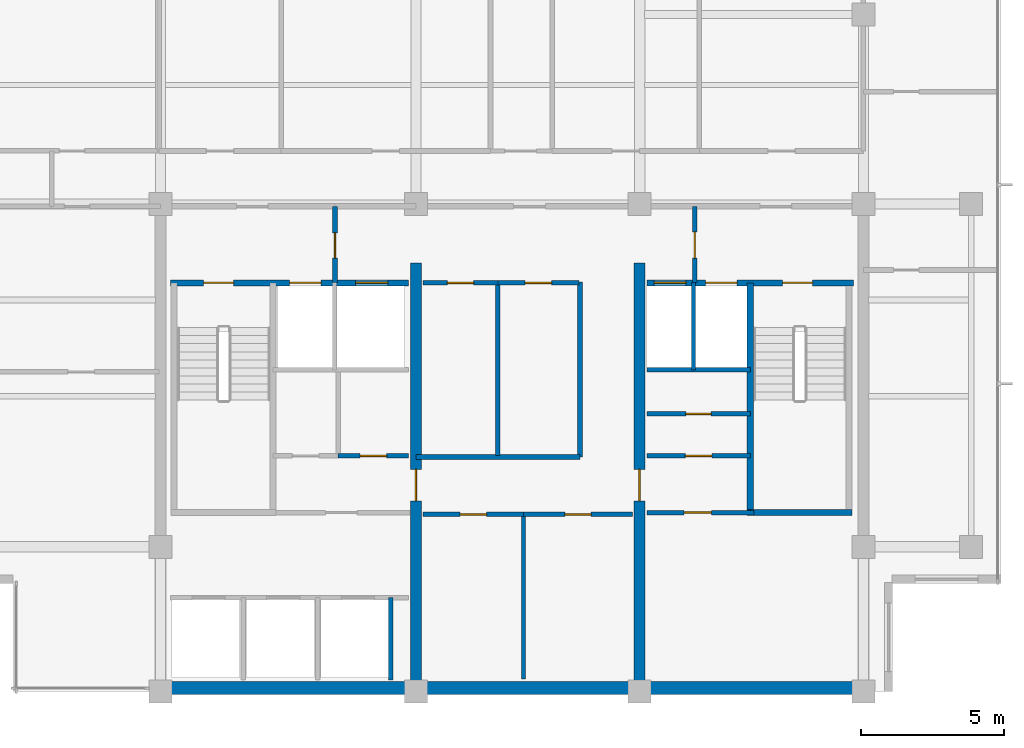
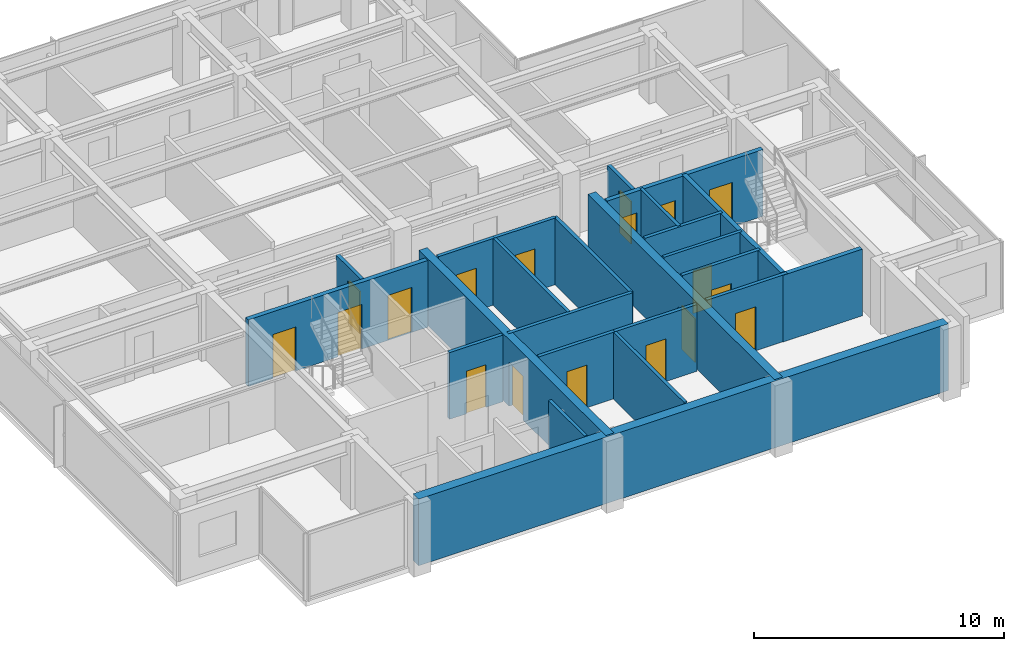
# One storey, part 6 of 11: 24 walls, 18 doors, 18 openings.
"""IFC4 building model written with IfcOpenShell, lengths in metres."""

from ifc_helpers import new_model, si_unit, direction, frame, frame_2d, origin, place, context, subcontext, project, spatial, rectangle, extrude, material, layer, layer_set, type_object, element, fill, save


model = new_model("IFC4")

# Units and contexts
model_context = context("Model", 3, precision=1e-05, world=origin(), true_north=direction((0.0, 1.0)))
body_context = subcontext(model_context, "Body", "Model", "MODEL_VIEW")
ifc_project = project(units=[si_unit("LENGTHUNIT", "METRE"), si_unit("AREAUNIT", "SQUARE_METRE"), si_unit("VOLUMEUNIT", "CUBIC_METRE"), si_unit("PLANEANGLEUNIT", "RADIAN"), si_unit("MASSUNIT", "GRAM", prefix="KILO")], contexts=[model_context])

# Site, building, storey
site_placement = place(None, origin())
site = spatial("IfcSite", under=ifc_project, at=site_placement, CompositionType="ELEMENT")
building_placement = place(site_placement, origin())
building = spatial("IfcBuilding", under=site, at=building_placement, Name="Qalmaran Belvedere Hotel", CompositionType="ELEMENT")
storey_placement = place(building_placement, frame((0.0, 0.0, 242.39990234375)))
storey = spatial("IfcBuildingStorey", under=building, at=storey_placement, Name="L62", CompositionType="ELEMENT", Elevation=242.39990234375)

# Wall, opening, door
ifc_material_1 = material(Name="Concrete C50/60", Category="concrete")
ifc_layer_1 = layer(ifc_material_1, 0.3798828125, Name="Concrete C50/60")
ifc_layer_set_1 = layer_set([ifc_layer_1], Name="Concrete C50/60")
wall_type_1 = type_object("IfcWallType", Name="WL-CORE-380-C50", PredefinedType="SHEAR", material=ifc_layer_set_1)
wall_1_placement = place(storey_placement, frame((29.199951171875, 3.5, 0.0), z_axis=(0.0, 0.0, 1.0), x_axis=(0.0, 1.0, 0.0)))
wall_1 = element("IfcWall", 1, at=wall_1_placement, inside=storey, type_object=wall_type_1, Name="L62 Core West Spine Shear Wall", PredefinedType="SHEAR", context=body_context, shape_type="SweptSolid", body=[
    extrude(rectangle(XDim=14.949951171875, YDim=0.3798828125, at=frame_2d((7.47509765625, 0.0))), origin(), (0.0, 0.0, 1.0), 3.260009765625),
])
opening_1_placement = place(wall_1_placement, frame((7.75, 0.0, 0.0), z_axis=(0.0, 0.0, 1.0), x_axis=(-1.0, 0.0, 0.0)))
opening_1 = element("IfcOpeningElement", 2, at=opening_1_placement, cuts=wall_1, Name="Opening FD90", PredefinedType="OPENING", context=body_context, shape_type="SweptSolid", body=[
    extrude(rectangle(XDim=1.10009765625, YDim=2.14990234375, at=frame_2d((0.550048828125, 1.074951171875))), frame((0.0, 0.199951171875, 0.0), z_axis=(0.0, -1.0, 0.0), x_axis=(1.0, 0.0, 0.0)), (0.0, 0.0, 1.0), 0.39990234375),
])
ifc_material_2 = material(Name="Steel S355JR", Category="steel")
door_type_1 = type_object("IfcDoorType", Name="DR-FD90-1100X2150", OperationType="NOTDEFINED", PredefinedType="DOOR", material=ifc_material_2)
door_1_placement = place(opening_1_placement, origin())
door_1 = element("IfcDoor", 3, at=door_1_placement, inside=storey, type_object=door_type_1, Name="L62 Core West Cross-Lobby Door", OperationType="SINGLE_SWING_LEFT", OverallHeight=2.14990234375, OverallWidth=1.10009765625, PredefinedType="DOOR", context=body_context, shape_type="SweptSolid", body=[
    extrude(rectangle(XDim=1.10009765625, YDim=2.14990234375, at=frame_2d((0.550048828125, 1.074951171875))), frame((0.0, 0.02490234375, 0.0), z_axis=(0.0, -1.0, 0.0), x_axis=(1.0, 0.0, 0.0)), (0.0, 0.0, 1.0), 0.050048828125),
])
fill(opening_1, door_1)

wall_2_placement = place(storey_placement, frame((37.0, 3.5, 0.0), z_axis=(0.0, 0.0, 1.0), x_axis=(0.0, 1.0, 0.0)))
wall_2 = element("IfcWall", 4, at=wall_2_placement, inside=storey, type_object=wall_type_1, Name="L62 Core East Spine Shear Wall", PredefinedType="SHEAR", context=body_context, shape_type="SweptSolid", body=[
    extrude(rectangle(XDim=14.949951171875, YDim=0.3798828125, at=frame_2d((7.47509765625, 0.0))), origin(), (0.0, 0.0, 1.0), 3.260009765625),
])
opening_2_placement = place(wall_2_placement, frame((6.64990234375, 0.0, 0.0)))
opening_2 = element("IfcOpeningElement", 5, at=opening_2_placement, cuts=wall_2, Name="Opening FD90", PredefinedType="OPENING", context=body_context, shape_type="SweptSolid", body=[
    extrude(rectangle(XDim=1.10009765625, YDim=2.14990234375, at=frame_2d((0.550048828125, 1.074951171875))), frame((0.0, 0.199951171875, 0.0), z_axis=(0.0, -1.0, 0.0), x_axis=(1.0, 0.0, 0.0)), (0.0, 0.0, 1.0), 0.39990234375),
])
door_2_placement = place(opening_2_placement, origin())
door_2 = element("IfcDoor", 6, at=door_2_placement, inside=storey, type_object=door_type_1, Name="L62 Core East Cross-Lobby Door", OperationType="SINGLE_SWING_RIGHT", OverallHeight=2.14990234375, OverallWidth=1.10009765625, PredefinedType="DOOR", context=body_context, shape_type="SweptSolid", body=[
    extrude(rectangle(XDim=1.10009765625, YDim=2.14990234375, at=frame_2d((0.550048828125, 1.074951171875))), frame((0.0, 0.02490234375, 0.0), z_axis=(0.0, -1.0, 0.0), x_axis=(1.0, 0.0, 0.0)), (0.0, 0.0, 1.0), 0.050048828125),
])
fill(opening_2, door_2)

# Walls
ifc_layer_2 = layer(ifc_material_1, 0.43994140625, Name="Concrete C50/60")
ifc_layer_set_2 = layer_set([ifc_layer_2], Name="Concrete C50/60")
wall_type_2 = type_object("IfcWallType", Name="WL-CORES-440-EXT", PredefinedType="SHEAR", material=ifc_layer_set_2)
wall_3_placement = place(storey_placement, frame((20.300048828125, 3.6298828125, 0.0), z_axis=(0.0, 0.0, 1.0), x_axis=(1.0, 0.0, 0.0)))
element("IfcWall", 7, at=wall_3_placement, inside=storey, type_object=wall_type_2, Name="L62 South Core Shear Wall", PredefinedType="SHEAR", context=body_context, shape_type="SweptSolid", body=[
    extrude(rectangle(XDim=24.5, YDim=0.43994140625, at=frame_2d((12.25, 0.0))), origin(), (0.0, 0.0, 1.0), 3.260009765625),
])
ifc_material_3 = material(Name="Gypsum Stud Partition")
ifc_layer_3 = layer(ifc_material_3, 0.14990234375, Name="Gypsum Stud Partition")
ifc_layer_set_3 = layer_set([ifc_layer_3], Name="Gypsum Stud Partition")
wall_type_3 = type_object("IfcWallType", Name="WL-INT-150-EI120", PredefinedType="PARTITIONING", material=ifc_layer_set_3)
wall_4_placement = place(storey_placement, frame((38.8798828125, 14.719970703125, 0.0), z_axis=(0.0, 0.0, 1.0), x_axis=(0.0, 1.0, 0.0)))
element("IfcWall", 8, at=wall_4_placement, inside=storey, type_object=wall_type_3, Name="L62 Partition WL-FF2M-L62", PredefinedType="PARTITIONING", context=body_context, shape_type="SweptSolid", body=[
    extrude(rectangle(XDim=3.0400390625, YDim=0.14990234375, at=frame_2d((1.52001953125, 0.0))), origin(), (0.0, 0.0, 1.0), 3.260009765625),
])
wall_5_placement = place(storey_placement, frame((28.320068359375, 3.89990234375, 0.0), z_axis=(0.0, 0.0, 1.0), x_axis=(0.0, 1.0, 0.0)))
element("IfcWall", 9, at=wall_5_placement, inside=storey, type_object=wall_type_3, Name="L62 Partition WL-POM3-L62", PredefinedType="PARTITIONING", context=body_context, shape_type="SweptSolid", body=[
    extrude(rectangle(XDim=2.880126953125, YDim=0.14990234375, at=frame_2d((1.43994140625, 0.0))), origin(), (0.0, 0.0, 1.0), 3.260009765625),
])

# Wall, opening, door
ifc_layer_4 = layer(ifc_material_3, 0.14990234375, Name="Gypsum Stud Partition")
ifc_layer_set_4 = layer_set([ifc_layer_4], Name="Gypsum Stud Partition")
wall_type_4 = type_object("IfcWallType", Name="WL-INT-150-EI60", PredefinedType="PARTITIONING", material=ifc_layer_set_4)
wall_6_placement = place(storey_placement, frame((37.25, 13.18505859375, 0.0), z_axis=(0.0, 0.0, 1.0), x_axis=(1.0, 0.0, 0.0)))
wall_6 = element("IfcWall", 10, at=wall_6_placement, inside=storey, type_object=wall_type_4, Name="L62 Partition WL-L62-KEHM", PredefinedType="PARTITIONING", context=body_context, shape_type="SweptSolid", body=[
    extrude(rectangle(XDim=3.610107421875, YDim=0.14990234375, at=frame_2d((1.80517578125, 0.0))), origin(), (0.0, 0.0, 1.0), 3.260009765625),
])
opening_3_placement = place(wall_6_placement, frame((1.364990234375, 0.0, 0.0)))
opening_3 = element("IfcOpeningElement", 11, at=opening_3_placement, cuts=wall_6, Name="Opening FD60B", PredefinedType="OPENING", context=body_context, shape_type="SweptSolid", body=[
    extrude(rectangle(XDim=0.8798828125, YDim=2.080078125, at=frame_2d((0.43994140625, 1.0400390625))), frame((0.0, 0.0849609375, 0.0), z_axis=(0.0, -1.0, 0.0), x_axis=(1.0, 0.0, 0.0)), (0.0, 0.0, 1.0), 0.169921875),
])
door_type_2 = type_object("IfcDoorType", Name="DR-FD60B-880X2080", OperationType="NOTDEFINED", PredefinedType="DOOR", material=ifc_material_2)
door_3_placement = place(opening_3_placement, origin())
door_3 = element("IfcDoor", 12, at=door_3_placement, inside=storey, type_object=door_type_2, Name="L62 Hotel Linen Closet Door", OperationType="SINGLE_SWING_LEFT", OverallHeight=2.080078125, OverallWidth=0.8798828125, PredefinedType="DOOR", context=body_context, shape_type="SweptSolid", body=[
    extrude(rectangle(XDim=0.8798828125, YDim=2.080078125, at=frame_2d((0.43994140625, 1.0400390625))), frame((0.0, 0.02490234375, 0.0), z_axis=(0.0, -1.0, 0.0), x_axis=(1.0, 0.0, 0.0)), (0.0, 0.0, 1.0), 0.050048828125),
])
fill(opening_3, door_3)

# Walls
wall_7_placement = place(storey_placement, frame((32.9541015625, 3.949951171875, 0.0), z_axis=(0.0, 0.0, 1.0), x_axis=(0.0, 1.0, 0.0)))
element("IfcWall", 13, at=wall_7_placement, inside=storey, type_object=wall_type_4, Name="L62 Partition WL-L62-KPLV1", PredefinedType="PARTITIONING", context=body_context, shape_type="SweptSolid", body=[
    extrude(rectangle(XDim=5.72998046875, YDim=0.14990234375, at=frame_2d((2.864990234375, 0.0))), origin(), (0.0, 0.0, 1.0), 3.260009765625),
])
wall_8_placement = place(storey_placement, frame((32.056396484375, 11.739990234375, 0.0), z_axis=(0.0, 0.0, 1.0), x_axis=(0.0, 1.0, 0.0)))
element("IfcWall", 14, at=wall_8_placement, inside=storey, type_object=wall_type_4, Name="L62 Partition WL-L62-KPMV1", PredefinedType="PARTITIONING", context=body_context, shape_type="SweptSolid", body=[
    extrude(rectangle(XDim=6.010009765625, YDim=0.14990234375, at=frame_2d((3.0048828125, 0.0))), origin(), (0.0, 0.0, 1.0), 3.260009765625),
])

# Wall, opening, door
ifc_layer_5 = layer(ifc_material_3, 0.159912109375, Name="Gypsum Stud Partition")
ifc_layer_set_5 = layer_set([ifc_layer_5], Name="Gypsum Stud Partition")
wall_type_5 = type_object("IfcWallType", Name="WL-INT-160-EI120", PredefinedType="PARTITIONING", material=ifc_layer_set_5)
wall_9_placement = place(storey_placement, frame((26.3798828125, 17.760009765625, 0.0), z_axis=(0.0, 0.0, 1.0), x_axis=(0.0, 1.0, 0.0)))
wall_9 = element("IfcWall", 15, at=wall_9_placement, inside=storey, type_object=wall_type_5, Name="L62 Partition WL-FFSV1-L62", PredefinedType="PARTITIONING", context=body_context, shape_type="SweptSolid", body=[
    extrude(rectangle(XDim=2.659912109375, YDim=0.159912109375, at=frame_2d((1.330078125, 0.0))), origin(), (0.0, 0.0, 1.0), 2.781982421875),
])
opening_4_placement = place(wall_9_placement, frame((0.85009765625, 0.0, 0.0)))
opening_4 = element("IfcOpeningElement", 16, at=opening_4_placement, cuts=wall_9, Name="Opening FD60B", PredefinedType="OPENING", context=body_context, shape_type="SweptSolid", body=[
    extrude(rectangle(XDim=0.8798828125, YDim=2.080078125, at=frame_2d((0.43994140625, 1.0400390625))), frame((0.0, 0.08984375, 0.0), z_axis=(0.0, -1.0, 0.0), x_axis=(1.0, 0.0, 0.0)), (0.0, 0.0, 1.0), 0.179931640625),
])
door_4_placement = place(opening_4_placement, origin())
door_4 = element("IfcDoor", 17, at=door_4_placement, inside=storey, type_object=door_type_2, Name="L62 Service Lobby West Door", OperationType="SINGLE_SWING_LEFT", OverallHeight=2.080078125, OverallWidth=0.8798828125, PredefinedType="DOOR", context=body_context, shape_type="SweptSolid", body=[
    extrude(rectangle(XDim=0.8798828125, YDim=2.080078125, at=frame_2d((0.43994140625, 1.0400390625))), frame((0.0, 0.02490234375, 0.0), z_axis=(0.0, -1.0, 0.0), x_axis=(1.0, 0.0, 0.0)), (0.0, 0.0, 1.0), 0.050048828125),
])
fill(opening_4, door_4)

wall_10_placement = place(storey_placement, frame((38.919921875, 17.760009765625, 0.0), z_axis=(0.0, 0.0, 1.0), x_axis=(0.0, 1.0, 0.0)))
wall_10 = element("IfcWall", 18, at=wall_10_placement, inside=storey, type_object=wall_type_5, Name="L62 Partition WL-FFSV2-L62", PredefinedType="PARTITIONING", context=body_context, shape_type="SweptSolid", body=[
    extrude(rectangle(XDim=2.659912109375, YDim=0.159912109375, at=frame_2d((1.330078125, 0.0))), origin(), (0.0, 0.0, 1.0), 2.781982421875),
])
opening_5_placement = place(wall_10_placement, frame((1.77001953125, 0.0, 0.0), z_axis=(0.0, 0.0, 1.0), x_axis=(-1.0, 0.0, 0.0)))
opening_5 = element("IfcOpeningElement", 19, at=opening_5_placement, cuts=wall_10, Name="Opening FD60S1", PredefinedType="OPENING", context=body_context, shape_type="SweptSolid", body=[
    extrude(rectangle(XDim=0.919921875, YDim=2.080078125, at=frame_2d((0.4599609375, 1.0400390625))), frame((0.0, 0.08984375, 0.0), z_axis=(0.0, -1.0, 0.0), x_axis=(1.0, 0.0, 0.0)), (0.0, 0.0, 1.0), 0.179931640625),
])
ifc_material_4 = material(Name="Engineered Oak Veneer")
door_type_3 = type_object("IfcDoorType", Name="DR-FD60S-920X2080", OperationType="NOTDEFINED", PredefinedType="DOOR", material=ifc_material_4)
door_5_placement = place(opening_5_placement, origin())
door_5 = element("IfcDoor", 20, at=door_5_placement, inside=storey, type_object=door_type_3, Name="L62 Service Lobby East Door", OperationType="SINGLE_SWING_RIGHT", OverallHeight=2.080078125, OverallWidth=0.919921875, PredefinedType="DOOR", context=body_context, shape_type="SweptSolid", body=[
    extrude(rectangle(XDim=0.919921875, YDim=2.080078125, at=frame_2d((0.4599609375, 1.0400390625))), frame((0.0, 0.02490234375, 0.0), z_axis=(0.0, -1.0, 0.0), x_axis=(1.0, 0.0, 0.0)), (0.0, 0.0, 1.0), 0.050048828125),
])
fill(opening_5, door_5)

# Wall
wall_11_placement = place(storey_placement, frame((37.25, 14.719970703125, 0.0), z_axis=(0.0, 0.0, 1.0), x_axis=(1.0, 0.0, 0.0)))
element("IfcWall", 21, at=wall_11_placement, inside=storey, type_object=wall_type_5, Name="L62 Partition WL-FF2S-L62", PredefinedType="PARTITIONING", context=body_context, shape_type="SweptSolid", body=[
    extrude(rectangle(XDim=3.610107421875, YDim=0.159912109375, at=frame_2d((1.80517578125, 0.0))), origin(), (0.0, 0.0, 1.0), 3.260009765625),
])

# Wall, opening, door
ifc_layer_6 = layer(ifc_material_3, 0.159912109375, Name="Gypsum Stud Partition")
ifc_layer_set_6 = layer_set([ifc_layer_6], Name="Gypsum Stud Partition")
wall_type_6 = type_object("IfcWallType", Name="WL-INT-160-EI60", PredefinedType="PARTITIONING", material=ifc_layer_set_6)
wall_12_placement = place(storey_placement, frame((26.490478515625, 11.719970703125, 0.0), z_axis=(0.0, 0.0, 1.0), x_axis=(1.0, 0.0, 0.0)))
wall_12 = element("IfcWall", 22, at=wall_12_placement, inside=storey, type_object=wall_type_6, Name="L62 Partition WL-L62-KWE2", PredefinedType="PARTITIONING", context=body_context, shape_type="SweptSolid", body=[
    extrude(rectangle(XDim=2.45947265625, YDim=0.159912109375, at=frame_2d((1.229736328125, 0.0))), origin(), (0.0, 0.0, 1.0), 3.260009765625),
])
opening_6_placement = place(wall_12_placement, frame((0.769775390625, 0.0, 0.0)))
opening_6 = element("IfcOpeningElement", 23, at=opening_6_placement, cuts=wall_12, Name="Opening FD60S1", PredefinedType="OPENING", context=body_context, shape_type="SweptSolid", body=[
    extrude(rectangle(XDim=0.919921875, YDim=2.080078125, at=frame_2d((0.4599609375, 1.0400390625))), frame((0.0, 0.08984375, 0.0), z_axis=(0.0, -1.0, 0.0), x_axis=(1.0, 0.0, 0.0)), (0.0, 0.0, 1.0), 0.179931640625),
])
door_6_placement = place(opening_6_placement, origin())
door_6 = element("IfcDoor", 24, at=door_6_placement, inside=storey, type_object=door_type_3, Name="L62 Cleaner Supply Store Door", OperationType="SINGLE_SWING_LEFT", OverallHeight=2.080078125, OverallWidth=0.919921875, PredefinedType="DOOR", context=body_context, shape_type="SweptSolid", body=[
    extrude(rectangle(XDim=0.919921875, YDim=2.080078125, at=frame_2d((0.4599609375, 1.0400390625))), frame((0.0, 0.02490234375, 0.0), z_axis=(0.0, -1.0, 0.0), x_axis=(1.0, 0.0, 0.0)), (0.0, 0.0, 1.0), 0.050048828125),
])
fill(opening_6, door_6)

wall_13_placement = place(storey_placement, frame((37.25, 11.719970703125, 0.0), z_axis=(0.0, 0.0, 1.0), x_axis=(1.0, 0.0, 0.0)))
wall_13 = element("IfcWall", 25, at=wall_13_placement, inside=storey, type_object=wall_type_6, Name="L62 Partition WL-L62-KEE1", PredefinedType="PARTITIONING", context=body_context, shape_type="SweptSolid", body=[
    extrude(rectangle(XDim=3.610107421875, YDim=0.159912109375, at=frame_2d((1.80517578125, 0.0))), origin(), (0.0, 0.0, 1.0), 3.260009765625),
])
opening_7_placement = place(wall_13_placement, frame((1.344970703125, 0.0, 0.0)))
opening_7 = element("IfcOpeningElement", 26, at=opening_7_placement, cuts=wall_13, Name="Opening FD60S1", PredefinedType="OPENING", context=body_context, shape_type="SweptSolid", body=[
    extrude(rectangle(XDim=0.919921875, YDim=2.080078125, at=frame_2d((0.4599609375, 1.0400390625))), frame((0.0, 0.08984375, 0.0), z_axis=(0.0, -1.0, 0.0), x_axis=(1.0, 0.0, 0.0)), (0.0, 0.0, 1.0), 0.179931640625),
])
door_7_placement = place(opening_7_placement, origin())
door_7 = element("IfcDoor", 27, at=door_7_placement, inside=storey, type_object=door_type_3, Name="L62 Low Voltage Switch Room Door", OperationType="SINGLE_SWING_RIGHT", OverallHeight=2.080078125, OverallWidth=0.919921875, PredefinedType="DOOR", context=body_context, shape_type="SweptSolid", body=[
    extrude(rectangle(XDim=0.919921875, YDim=2.080078125, at=frame_2d((0.4599609375, 1.0400390625))), frame((0.0, 0.02490234375, 0.0), z_axis=(0.0, -1.0, 0.0), x_axis=(1.0, 0.0, 0.0)), (0.0, 0.0, 1.0), 0.050048828125),
])
fill(opening_7, door_7)

wall_14_placement = place(storey_placement, frame((37.25, 9.739990234375, 0.0), z_axis=(0.0, 0.0, 1.0), x_axis=(1.0, 0.0, 0.0)))
wall_14 = element("IfcWall", 28, at=wall_14_placement, inside=storey, type_object=wall_type_6, Name="L62 Partition WL-PHFR-L62", PredefinedType="PARTITIONING", context=body_context, shape_type="SweptSolid", body=[
    extrude(rectangle(XDim=3.72998046875, YDim=0.159912109375, at=frame_2d((1.864990234375, 0.0))), origin(), (0.0, 0.0, 1.0), 3.260009765625),
])
opening_8_placement = place(wall_14_placement, frame((2.25, 0.0, 0.0), z_axis=(0.0, 0.0, 1.0), x_axis=(-1.0, 0.0, 0.0)))
opening_8 = element("IfcOpeningElement", 29, at=opening_8_placement, cuts=wall_14, Name="Opening FD60", PredefinedType="OPENING", context=body_context, shape_type="SweptSolid", body=[
    extrude(rectangle(XDim=0.949951171875, YDim=2.14990234375, at=frame_2d((0.47509765625, 1.074951171875))), frame((0.0, 0.08984375, 0.0), z_axis=(0.0, -1.0, 0.0), x_axis=(1.0, 0.0, 0.0)), (0.0, 0.0, 1.0), 0.179931640625),
])
door_type_4 = type_object("IfcDoorType", Name="DR-FD60-950X2150", OperationType="NOTDEFINED", PredefinedType="DOOR", material=ifc_material_4)
door_8_placement = place(opening_8_placement, origin())
door_8 = element("IfcDoor", 30, at=door_8_placement, inside=storey, type_object=door_type_4, Name="L62 Freed PH Room Door", OperationType="SINGLE_SWING_LEFT", OverallHeight=2.14990234375, OverallWidth=0.949951171875, PredefinedType="DOOR", context=body_context, shape_type="SweptSolid", body=[
    extrude(rectangle(XDim=0.949951171875, YDim=2.14990234375, at=frame_2d((0.47509765625, 1.074951171875))), frame((0.0, 0.02490234375, 0.0), z_axis=(0.0, -1.0, 0.0), x_axis=(1.0, 0.0, 0.0)), (0.0, 0.0, 1.0), 0.050048828125),
])
fill(opening_8, door_8)

# Wall
wall_15_placement = place(storey_placement, frame((34.919921875, 11.679931640625, 0.0), z_axis=(0.0, 0.0, 1.0), x_axis=(0.0, 1.0, 0.0)))
element("IfcWall", 31, at=wall_15_placement, inside=storey, type_object=wall_type_6, Name="L62 Partition WL-CLLV-L62", PredefinedType="PARTITIONING", context=body_context, shape_type="SweptSolid", body=[
    extrude(rectangle(XDim=6.10009765625, YDim=0.159912109375, at=frame_2d((3.050048828125, 0.0))), origin(), (0.0, 0.0, 1.0), 3.260009765625),
])

# Wall, opening, door
wall_16_placement = place(storey_placement, frame((29.449951171875, 9.679931640625, 0.0), z_axis=(0.0, 0.0, 1.0), x_axis=(1.0, 0.0, 0.0)))
wall_16 = element("IfcWall", 32, at=wall_16_placement, inside=storey, type_object=wall_type_6, Name="L62 Partition WL-L62-KPLE1", PredefinedType="PARTITIONING", context=body_context, shape_type="SweptSolid", body=[
    extrude(rectangle(XDim=3.504150390625, YDim=0.159912109375, at=frame_2d((1.751953125, 0.0))), origin(), (0.0, 0.0, 1.0), 3.260009765625),
])
opening_9_placement = place(wall_16_placement, frame((2.2119140625, 0.0, 0.0), z_axis=(0.0, 0.0, 1.0), x_axis=(-1.0, 0.0, 0.0)))
opening_9 = element("IfcOpeningElement", 33, at=opening_9_placement, cuts=wall_16, Name="Opening FD60S1", PredefinedType="OPENING", context=body_context, shape_type="SweptSolid", body=[
    extrude(rectangle(XDim=0.919921875, YDim=2.080078125, at=frame_2d((0.4599609375, 1.0400390625))), frame((0.0, 0.08984375, 0.0), z_axis=(0.0, -1.0, 0.0), x_axis=(1.0, 0.0, 0.0)), (0.0, 0.0, 1.0), 0.179931640625),
])
door_9_placement = place(opening_9_placement, origin())
door_9 = element("IfcDoor", 34, at=door_9_placement, inside=storey, type_object=door_type_3, Name="L62 Hotel Butler Service Pantry Door", OperationType="SINGLE_SWING_RIGHT", OverallHeight=2.080078125, OverallWidth=0.919921875, PredefinedType="DOOR", context=body_context, shape_type="SweptSolid", body=[
    extrude(rectangle(XDim=0.919921875, YDim=2.080078125, at=frame_2d((0.4599609375, 1.0400390625))), frame((0.0, 0.02490234375, 0.0), z_axis=(0.0, -1.0, 0.0), x_axis=(1.0, 0.0, 0.0)), (0.0, 0.0, 1.0), 0.050048828125),
])
fill(opening_9, door_9)

wall_17_placement = place(storey_placement, frame((32.9541015625, 9.679931640625, 0.0), z_axis=(0.0, 0.0, 1.0), x_axis=(1.0, 0.0, 0.0)))
wall_17 = element("IfcWall", 35, at=wall_17_placement, inside=storey, type_object=wall_type_6, Name="L62 Partition WL-L62-KPLE2", PredefinedType="PARTITIONING", context=body_context, shape_type="SweptSolid", body=[
    extrude(rectangle(XDim=3.7958984375, YDim=0.159912109375, at=frame_2d((1.89794921875, 0.0))), origin(), (0.0, 0.0, 1.0), 3.260009765625),
])
opening_10_placement = place(wall_17_placement, frame((2.35791015625, 0.0, 0.0), z_axis=(0.0, 0.0, 1.0), x_axis=(-1.0, 0.0, 0.0)))
opening_10 = element("IfcOpeningElement", 36, at=opening_10_placement, cuts=wall_17, Name="Opening FD60S1", PredefinedType="OPENING", context=body_context, shape_type="SweptSolid", body=[
    extrude(rectangle(XDim=0.919921875, YDim=2.080078125, at=frame_2d((0.4599609375, 1.0400390625))), frame((0.0, 0.08984375, 0.0), z_axis=(0.0, -1.0, 0.0), x_axis=(1.0, 0.0, 0.0)), (0.0, 0.0, 1.0), 0.179931640625),
])
door_10_placement = place(opening_10_placement, origin())
door_10 = element("IfcDoor", 37, at=door_10_placement, inside=storey, type_object=door_type_3, Name="L62 Guest Valet Supply Store Door", OperationType="SINGLE_SWING_LEFT", OverallHeight=2.080078125, OverallWidth=0.919921875, PredefinedType="DOOR", context=body_context, shape_type="SweptSolid", body=[
    extrude(rectangle(XDim=0.919921875, YDim=2.080078125, at=frame_2d((0.4599609375, 1.0400390625))), frame((0.0, 0.02490234375, 0.0), z_axis=(0.0, -1.0, 0.0), x_axis=(1.0, 0.0, 0.0)), (0.0, 0.0, 1.0), 0.050048828125),
])
fill(opening_10, door_10)

# Wall
wall_18_placement = place(storey_placement, frame((29.199951171875, 11.679931640625, 0.0), z_axis=(0.0, 0.0, 1.0), x_axis=(1.0, 0.0, 0.0)))
element("IfcWall", 38, at=wall_18_placement, inside=storey, type_object=wall_type_6, Name="L62 Partition WL-PMFS-L62", PredefinedType="PARTITIONING", context=body_context, shape_type="SweptSolid", body=[
    extrude(rectangle(XDim=5.719970703125, YDim=0.159912109375, at=frame_2d((2.85986328125, 0.0))), origin(), (0.0, 0.0, 1.0), 3.260009765625),
])

# Wall, opening, door
wall_19_placement = place(storey_placement, frame((29.449951171875, 17.75, 0.0), z_axis=(0.0, 0.0, 1.0), x_axis=(1.0, 0.0, 0.0)))
wall_19 = element("IfcWall", 39, at=wall_19_placement, inside=storey, type_object=wall_type_6, Name="L62 Partition WL-L62-KPME1", PredefinedType="PARTITIONING", context=body_context, shape_type="SweptSolid", body=[
    extrude(rectangle(XDim=2.6064453125, YDim=0.159912109375, at=frame_2d((1.30322265625, 0.0))), origin(), (0.0, 0.0, 1.0), 3.260009765625),
])
opening_11_placement = place(wall_19_placement, frame((1.76318359375, 0.0, 0.0), z_axis=(0.0, 0.0, 1.0), x_axis=(-1.0, 0.0, 0.0)))
opening_11 = element("IfcOpeningElement", 40, at=opening_11_placement, cuts=wall_19, Name="Opening FD60S1", PredefinedType="OPENING", context=body_context, shape_type="SweptSolid", body=[
    extrude(rectangle(XDim=0.919921875, YDim=2.080078125, at=frame_2d((0.4599609375, 1.0400390625))), frame((0.0, 0.08984375, 0.0), z_axis=(0.0, -1.0, 0.0), x_axis=(1.0, 0.0, 0.0)), (0.0, 0.0, 1.0), 0.179931640625),
])
door_11_placement = place(opening_11_placement, origin())
door_11 = element("IfcDoor", 41, at=door_11_placement, inside=storey, type_object=door_type_3, Name="L62 Floor Linen Supply Store Door", OperationType="SINGLE_SWING_RIGHT", OverallHeight=2.080078125, OverallWidth=0.919921875, PredefinedType="DOOR", context=body_context, shape_type="SweptSolid", body=[
    extrude(rectangle(XDim=0.919921875, YDim=2.080078125, at=frame_2d((0.4599609375, 1.0400390625))), frame((0.0, 0.02490234375, 0.0), z_axis=(0.0, -1.0, 0.0), x_axis=(1.0, 0.0, 0.0)), (0.0, 0.0, 1.0), 0.050048828125),
])
fill(opening_11, door_11)

wall_20_placement = place(storey_placement, frame((32.056396484375, 17.75, 0.0), z_axis=(0.0, 0.0, 1.0), x_axis=(1.0, 0.0, 0.0)))
wall_20 = element("IfcWall", 42, at=wall_20_placement, inside=storey, type_object=wall_type_6, Name="L62 Partition WL-L62-KPME2", PredefinedType="PARTITIONING", context=body_context, shape_type="SweptSolid", body=[
    extrude(rectangle(XDim=2.823486328125, YDim=0.159912109375, at=frame_2d((1.41162109375, 0.0))), origin(), (0.0, 0.0, 1.0), 3.260009765625),
])
opening_12_placement = place(wall_20_placement, frame((1.871826171875, 0.0, 0.0), z_axis=(0.0, 0.0, 1.0), x_axis=(-1.0, 0.0, 0.0)))
opening_12 = element("IfcOpeningElement", 43, at=opening_12_placement, cuts=wall_20, Name="Opening FD60S1", PredefinedType="OPENING", context=body_context, shape_type="SweptSolid", body=[
    extrude(rectangle(XDim=0.919921875, YDim=2.080078125, at=frame_2d((0.4599609375, 1.0400390625))), frame((0.0, 0.08984375, 0.0), z_axis=(0.0, -1.0, 0.0), x_axis=(1.0, 0.0, 0.0)), (0.0, 0.0, 1.0), 0.179931640625),
])
door_12_placement = place(opening_12_placement, origin())
door_12 = element("IfcDoor", 44, at=door_12_placement, inside=storey, type_object=door_type_3, Name="L62 Core Tableware Store Door", OperationType="SINGLE_SWING_LEFT", OverallHeight=2.080078125, OverallWidth=0.919921875, PredefinedType="DOOR", context=body_context, shape_type="SweptSolid", body=[
    extrude(rectangle(XDim=0.919921875, YDim=2.080078125, at=frame_2d((0.4599609375, 1.0400390625))), frame((0.0, 0.02490234375, 0.0), z_axis=(0.0, -1.0, 0.0), x_axis=(1.0, 0.0, 0.0)), (0.0, 0.0, 1.0), 0.050048828125),
])
fill(opening_12, door_12)

# Wall, openings, doors
ifc_layer_7 = layer(ifc_material_1, 0.2099609375, Name="Concrete C50/60")
ifc_layer_set_7 = layer_set([ifc_layer_7], Name="Concrete C50/60")
wall_type_7 = type_object("IfcWallType", Name="WL-STAIR-210-C50", PredefinedType="SHEAR", material=ifc_layer_set_7)
wall_21_placement = place(storey_placement, frame((20.64990234375, 17.7548828125, 0.0), z_axis=(0.0, 0.0, 1.0), x_axis=(1.0, 0.0, 0.0)))
wall_21 = element("IfcWall", 45, at=wall_21_placement, inside=storey, type_object=wall_type_7, Name="L62 West Lobby and Stair ST-1 North Bearing Wall", PredefinedType="SHEAR", context=body_context, shape_type="SweptSolid", body=[
    extrude(rectangle(XDim=8.300048828125, YDim=0.2099609375, at=frame_2d((4.14990234375, 0.0))), origin(), (0.0, 0.0, 1.0), 3.260009765625),
])
opening_13_placement = place(wall_21_placement, frame((2.199951171875, 0.0, 0.0), z_axis=(0.0, 0.0, 1.0), x_axis=(-1.0, 0.0, 0.0)))
opening_13 = element("IfcOpeningElement", 46, at=opening_13_placement, cuts=wall_21, Name="Opening FD90S2", PredefinedType="OPENING", context=body_context, shape_type="SweptSolid", body=[
    extrude(rectangle(XDim=1.050048828125, YDim=2.14990234375, at=frame_2d((0.52490234375, 1.074951171875))), frame((0.0, 0.114990234375, 0.0), z_axis=(0.0, -1.0, 0.0), x_axis=(1.0, 0.0, 0.0)), (0.0, 0.0, 1.0), 0.22998046875),
])
opening_14_placement = place(wall_21_placement, frame((4.14990234375, 0.0, 0.0)))
opening_14 = element("IfcOpeningElement", 47, at=opening_14_placement, cuts=wall_21, Name="Opening LD-FF", PredefinedType="OPENING", context=body_context, shape_type="SweptSolid", body=[
    extrude(rectangle(XDim=1.10009765625, YDim=2.179931640625, at=frame_2d((0.550048828125, 1.08984375))), frame((0.0, 0.114990234375, 0.0), z_axis=(0.0, -1.0, 0.0), x_axis=(1.0, 0.0, 0.0)), (0.0, 0.0, 1.0), 0.22998046875),
])
opening_15_placement = place(wall_21_placement, frame((6.449951171875, 0.0, 0.0)))
opening_15 = element("IfcOpeningElement", 48, at=opening_15_placement, cuts=wall_21, Name="Opening LD-SV", PredefinedType="OPENING", context=body_context, shape_type="SweptSolid", body=[
    extrude(rectangle(XDim=1.1201171875, YDim=2.199951171875, at=frame_2d((0.56005859375, 1.10009765625))), frame((0.0, 0.114990234375, 0.0), z_axis=(0.0, -1.0, 0.0), x_axis=(1.0, 0.0, 0.0)), (0.0, 0.0, 1.0), 0.22998046875),
])
door_type_5 = type_object("IfcDoorType", Name="DR-FD90S-1050X2150", OperationType="NOTDEFINED", PredefinedType="DOOR", material=ifc_material_2)
door_13_placement = place(opening_13_placement, origin())
door_13 = element("IfcDoor", 49, at=door_13_placement, inside=storey, type_object=door_type_5, Name="L62 Stair ST-1 Door", OperationType="SINGLE_SWING_LEFT", OverallHeight=2.14990234375, OverallWidth=1.050048828125, PredefinedType="DOOR", context=body_context, shape_type="SweptSolid", body=[
    extrude(rectangle(XDim=1.050048828125, YDim=2.14990234375, at=frame_2d((0.52490234375, 1.074951171875))), frame((0.0, 0.02490234375, 0.0), z_axis=(0.0, -1.0, 0.0), x_axis=(1.0, 0.0, 0.0)), (0.0, 0.0, 1.0), 0.050048828125),
])
fill(opening_13, door_13)
ifc_material_5 = material(Name="Stainless Steel 1.4401", Category="steel")
door_type_6 = type_object("IfcDoorType", Name="DR-LIFT-FF-1100X2180", OperationType="DOUBLE_DOOR_SLIDING", PredefinedType="DOOR", material=ifc_material_5)
door_14_placement = place(opening_14_placement, origin())
door_14 = element("IfcDoor", 50, at=door_14_placement, inside=storey, type_object=door_type_6, Name="L62 FF1 Lift Landing Door", OperationType="DOUBLE_DOOR_SLIDING", OverallHeight=2.179931640625, OverallWidth=1.10009765625, PredefinedType="DOOR", context=body_context, shape_type="SweptSolid", body=[
    extrude(rectangle(XDim=1.10009765625, YDim=2.179931640625, at=frame_2d((0.550048828125, 1.08984375))), frame((0.0, 0.02490234375, 0.0), z_axis=(0.0, -1.0, 0.0), x_axis=(1.0, 0.0, 0.0)), (0.0, 0.0, 1.0), 0.050048828125),
])
fill(opening_14, door_14)
door_type_7 = type_object("IfcDoorType", Name="DR-LIFT-SV-1120X2200", OperationType="DOUBLE_DOOR_SLIDING", PredefinedType="DOOR", material=ifc_material_5)
door_15_placement = place(opening_15_placement, origin())
door_15 = element("IfcDoor", 51, at=door_15_placement, inside=storey, type_object=door_type_7, Name="L62 SV1 Lift Landing Door", OperationType="DOUBLE_DOOR_SLIDING", OverallHeight=2.199951171875, OverallWidth=1.1201171875, PredefinedType="DOOR", context=body_context, shape_type="SweptSolid", body=[
    extrude(rectangle(XDim=1.1201171875, YDim=2.199951171875, at=frame_2d((0.56005859375, 1.10009765625))), frame((0.0, 0.02490234375, 0.0), z_axis=(0.0, -1.0, 0.0), x_axis=(1.0, 0.0, 0.0)), (0.0, 0.0, 1.0), 0.050048828125),
])
fill(opening_15, door_15)

# Walls
wall_22_placement = place(storey_placement, frame((40.85498046875, 9.7451171875, 0.0), z_axis=(0.0, 0.0, 1.0), x_axis=(0.0, 1.0, 0.0)))
element("IfcWall", 52, at=wall_22_placement, inside=storey, type_object=wall_type_7, Name="L62 Stair ST-2 West Bearing Wall", PredefinedType="SHEAR", context=body_context, shape_type="SweptSolid", body=[
    extrude(rectangle(XDim=8.009765625, YDim=0.2099609375, at=frame_2d((4.0048828125, 0.0))), origin(), (0.0, 0.0, 1.0), 3.260009765625),
])
wall_23_placement = place(storey_placement, frame((40.75, 9.7451171875, 0.0), z_axis=(0.0, 0.0, 1.0), x_axis=(1.0, 0.0, 0.0)))
element("IfcWall", 53, at=wall_23_placement, inside=storey, type_object=wall_type_7, Name="L62 Stair ST-2 South Bearing Wall", PredefinedType="SHEAR", context=body_context, shape_type="SweptSolid", body=[
    extrude(rectangle(XDim=3.659912109375, YDim=0.2099609375, at=frame_2d((1.830078125, 0.0))), origin(), (0.0, 0.0, 1.0), 3.260009765625),
])

# Wall, openings, doors
wall_24_placement = place(storey_placement, frame((37.25, 17.7548828125, 0.0), z_axis=(0.0, 0.0, 1.0), x_axis=(1.0, 0.0, 0.0)))
wall_24 = element("IfcWall", 54, at=wall_24_placement, inside=storey, type_object=wall_type_7, Name="L62 East Lobby and Stair ST-2 North Bearing Wall", PredefinedType="SHEAR", context=body_context, shape_type="SweptSolid", body=[
    extrude(rectangle(XDim=7.199951171875, YDim=0.2099609375, at=frame_2d((3.60009765625, 0.0))), origin(), (0.0, 0.0, 1.0), 3.260009765625),
])
opening_16_placement = place(wall_24_placement, frame((0.25, 0.0, 0.0)))
opening_16 = element("IfcOpeningElement", 55, at=opening_16_placement, cuts=wall_24, Name="Opening LD-SV", PredefinedType="OPENING", context=body_context, shape_type="SweptSolid", body=[
    extrude(rectangle(XDim=1.1201171875, YDim=2.199951171875, at=frame_2d((0.56005859375, 1.10009765625))), frame((0.0, 0.114990234375, 0.0), z_axis=(0.0, -1.0, 0.0), x_axis=(1.0, 0.0, 0.0)), (0.0, 0.0, 1.0), 0.22998046875),
])
opening_17_placement = place(wall_24_placement, frame((2.050048828125, 0.0, 0.0)))
opening_17 = element("IfcOpeningElement", 56, at=opening_17_placement, cuts=wall_24, Name="Opening LD-FF", PredefinedType="OPENING", context=body_context, shape_type="SweptSolid", body=[
    extrude(rectangle(XDim=1.10009765625, YDim=2.179931640625, at=frame_2d((0.550048828125, 1.08984375))), frame((0.0, 0.114990234375, 0.0), z_axis=(0.0, -1.0, 0.0), x_axis=(1.0, 0.0, 0.0)), (0.0, 0.0, 1.0), 0.22998046875),
])
opening_18_placement = place(wall_24_placement, frame((5.780029296875, 0.0, 0.0), z_axis=(0.0, 0.0, 1.0), x_axis=(-1.0, 0.0, 0.0)))
opening_18 = element("IfcOpeningElement", 57, at=opening_18_placement, cuts=wall_24, Name="Opening FD90S2", PredefinedType="OPENING", context=body_context, shape_type="SweptSolid", body=[
    extrude(rectangle(XDim=1.050048828125, YDim=2.14990234375, at=frame_2d((0.52490234375, 1.074951171875))), frame((0.0, 0.114990234375, 0.0), z_axis=(0.0, -1.0, 0.0), x_axis=(1.0, 0.0, 0.0)), (0.0, 0.0, 1.0), 0.22998046875),
])
door_16_placement = place(opening_18_placement, origin())
door_16 = element("IfcDoor", 58, at=door_16_placement, inside=storey, type_object=door_type_5, Name="L62 Stair ST-2 Door", OperationType="SINGLE_SWING_RIGHT", OverallHeight=2.14990234375, OverallWidth=1.050048828125, PredefinedType="DOOR", context=body_context, shape_type="SweptSolid", body=[
    extrude(rectangle(XDim=1.050048828125, YDim=2.14990234375, at=frame_2d((0.52490234375, 1.074951171875))), frame((0.0, 0.02490234375, 0.0), z_axis=(0.0, -1.0, 0.0), x_axis=(1.0, 0.0, 0.0)), (0.0, 0.0, 1.0), 0.050048828125),
])
fill(opening_18, door_16)
door_17_placement = place(opening_17_placement, origin())
door_17 = element("IfcDoor", 59, at=door_17_placement, inside=storey, type_object=door_type_6, Name="L62 FF2 Lift Landing Door", OperationType="DOUBLE_DOOR_SLIDING", OverallHeight=2.179931640625, OverallWidth=1.10009765625, PredefinedType="DOOR", context=body_context, shape_type="SweptSolid", body=[
    extrude(rectangle(XDim=1.10009765625, YDim=2.179931640625, at=frame_2d((0.550048828125, 1.08984375))), frame((0.0, 0.02490234375, 0.0), z_axis=(0.0, -1.0, 0.0), x_axis=(1.0, 0.0, 0.0)), (0.0, 0.0, 1.0), 0.050048828125),
])
fill(opening_17, door_17)
door_18_placement = place(opening_16_placement, origin())
door_18 = element("IfcDoor", 60, at=door_18_placement, inside=storey, type_object=door_type_7, Name="L62 SV2 Lift Landing Door", OperationType="DOUBLE_DOOR_SLIDING", OverallHeight=2.199951171875, OverallWidth=1.1201171875, PredefinedType="DOOR", context=body_context, shape_type="SweptSolid", body=[
    extrude(rectangle(XDim=1.1201171875, YDim=2.199951171875, at=frame_2d((0.56005859375, 1.10009765625))), frame((0.0, 0.02490234375, 0.0), z_axis=(0.0, -1.0, 0.0), x_axis=(1.0, 0.0, 0.0)), (0.0, 0.0, 1.0), 0.050048828125),
])
fill(opening_16, door_18)

save(model, "model.ifc")
